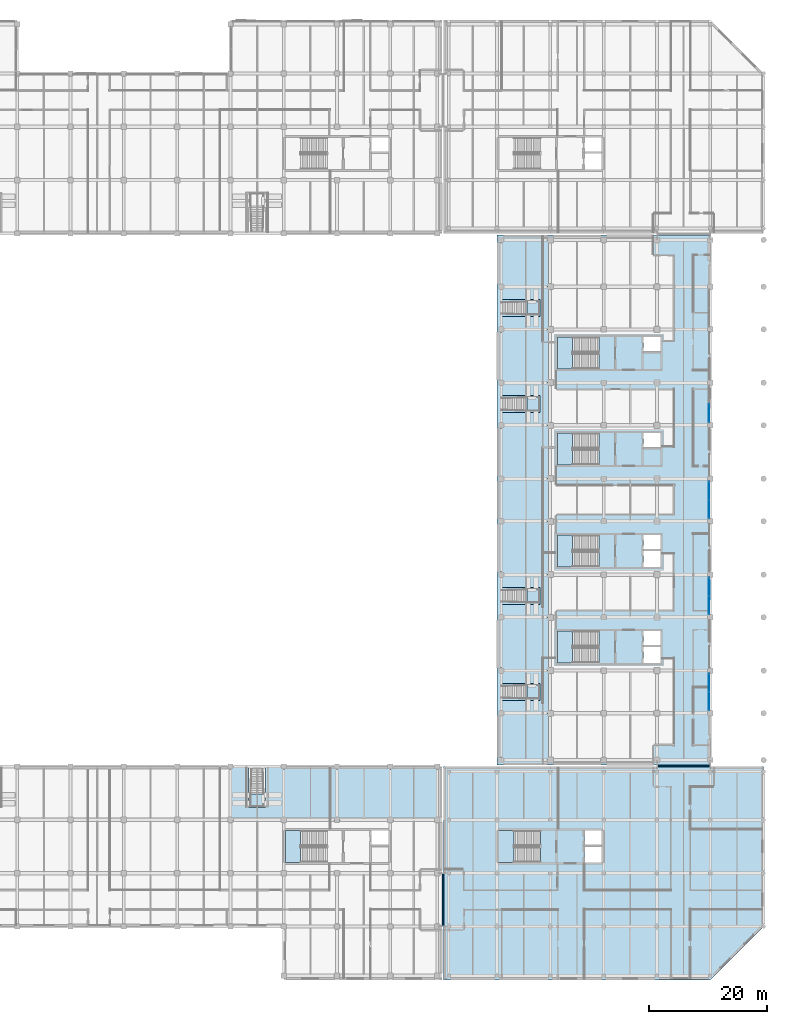
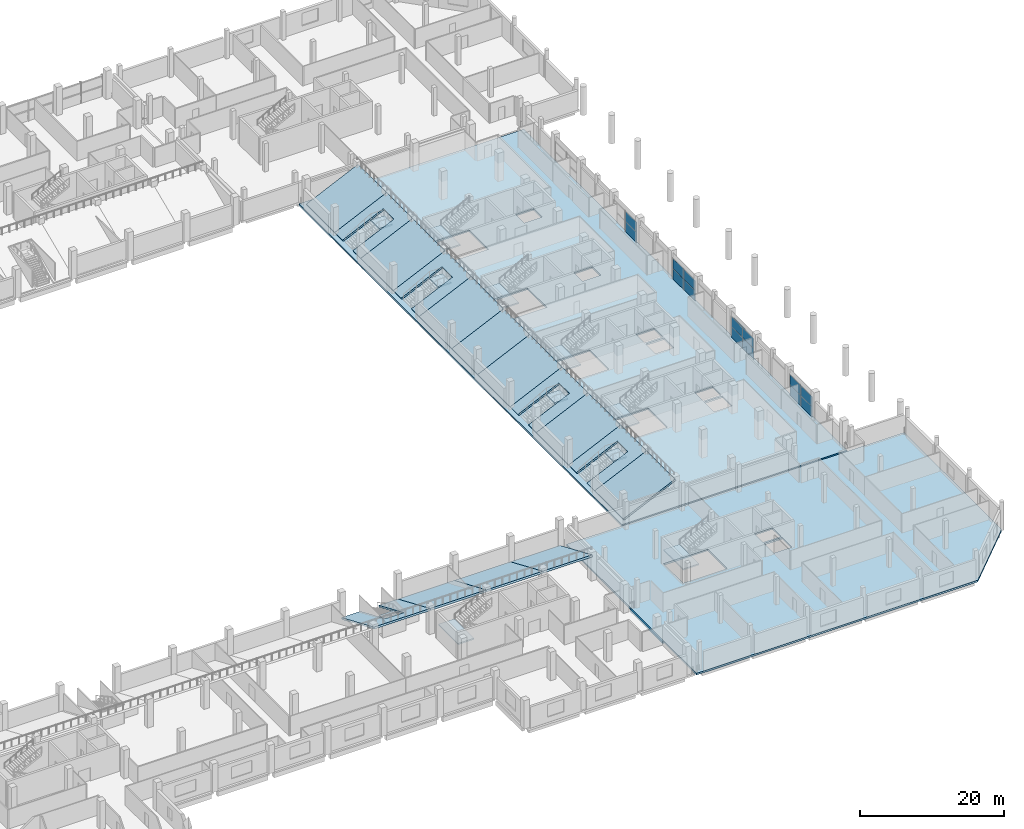
# One storey, part 46 of 100: 30 slabs, 16 plates, 10 elements without a shape of their own.
"""IFC4 building model written with IfcOpenShell, lengths in metres."""

from ifc_helpers import new_model, si_unit, direction, frame, origin, origin_2d, place, context, subcontext, project, spatial, polyline, rectangle, outline, extrude, material, layer, layer_set, type_object, element, aggregate, save


model = new_model("IFC4")

# Units and contexts
model_context = context("Model", 3, precision=1e-05, world=origin(), true_north=direction((0.0, 1.0)))
body_context = subcontext(model_context, "Body", "Model", "MODEL_VIEW")
ifc_project = project(units=[si_unit("LENGTHUNIT", "METRE"), si_unit("AREAUNIT", "SQUARE_METRE"), si_unit("VOLUMEUNIT", "CUBIC_METRE"), si_unit("PLANEANGLEUNIT", "RADIAN"), si_unit("MASSUNIT", "GRAM", prefix="KILO"), si_unit("THERMODYNAMICTEMPERATUREUNIT", "KELVIN"), si_unit("POWERUNIT", "WATT")], contexts=[model_context])

# Site, building, storey
site_placement = place(None, origin())
site = spatial("IfcSite", under=ifc_project, at=site_placement, CompositionType="ELEMENT")
building_placement = place(site_placement, origin())
building = spatial("IfcBuilding", under=site, at=building_placement, Name="Sindhuravela Promenade Stadium", CompositionType="ELEMENT")
storey_placement = place(building_placement, frame((0.0, 0.0, 4.800048828125)))
storey = spatial("IfcBuildingStorey", under=building, at=storey_placement, Name="L01", CompositionType="ELEMENT", Elevation=4.800048828125)

# Plates
ifc_material_1 = material(Name="Perforated terracotta celosia brick (15 MPa)", Category="masonry")
ifc_layer_1 = layer(ifc_material_1, 0.114990234375)
ifc_layer_set_1 = layer_set([ifc_layer_1], Name="Perforated terracotta celosia brick (15 MPa)")
plate_type_1 = type_object("IfcPlateType", Name="CL-SCR-02", PredefinedType="USERDEFINED", material=ifc_layer_set_1)
plate_1_placement = place(storey_placement, frame((206.8798828125, 66.594970703125, 0.0), z_axis=(0.0, 0.0, 1.0), x_axis=(0.0, -1.0, 0.0)))
element("IfcPlate", 1, at=plate_1_placement, inside=storey, type_object=plate_type_1, Name="Perforated brick celosia screen EAST L01-89", ObjectType="SCREEN PANEL", PredefinedType="USERDEFINED", context=body_context, shape_type="SweptSolid", body=[
    extrude(rectangle(XDim=1.56005859375, YDim=0.114990234375, at=origin_2d()), origin(), (0.0, 0.0, 1.0), 3.580078125),
])
ifc_layer_2 = layer(ifc_material_1, 0.139892578125)
ifc_layer_set_2 = layer_set([ifc_layer_2], Name="Perforated terracotta celosia brick (15 MPa)")
plate_type_2 = type_object("IfcPlateType", Name="CL-SCR-03", PredefinedType="USERDEFINED", material=ifc_layer_set_2)
plate_2_placement = place(storey_placement, frame((206.8798828125, 64.9951171875, 0.0), z_axis=(0.0, 0.0, 1.0), x_axis=(0.0, -1.0, 0.0)))
element("IfcPlate", 2, at=plate_2_placement, inside=storey, type_object=plate_type_2, Name="Perforated brick celosia screen EAST L01-90", ObjectType="SCREEN PANEL", PredefinedType="USERDEFINED", context=body_context, shape_type="SweptSolid", body=[
    extrude(rectangle(XDim=1.56005859375, YDim=0.139892578125, at=origin_2d()), origin(), (0.0, 0.0, 1.0), 3.580078125),
])

# Curtain wall, plates
ifc_material_2 = material(Name="Anodised architectural aluminium 6063-T6", Category="aluminium")
curtain_wall_type_1 = type_object("IfcCurtainWallType", Name="CW-MOD-1", PredefinedType="NOTDEFINED", material=ifc_material_2)
curtain_wall_1_placement = place(storey_placement, origin())
curtain_wall_1 = element("IfcCurtainWall", 3, at=curtain_wall_1_placement, inside=storey, type_object=curtain_wall_type_1, Name="Bronze curtain wall CW-EAST-L01-088", PredefinedType="NOTDEFINED")
ifc_material_3 = material(Name="Tempered laminated low-E glass", Category="glass")
ifc_layer_3 = layer(ifc_material_3, 0.028076171875)
ifc_layer_set_3 = layer_set([ifc_layer_3], Name="Tempered laminated low-E glass")
plate_type_3 = type_object("IfcPlateType", Name="CW-PNL-01", PredefinedType="CURTAIN_PANEL", material=ifc_layer_set_3)
plate_3_placement = place(storey_placement, frame((206.800048828125, 95.64990234375, 0.01513671875), z_axis=(0.0, 0.0, 1.0), x_axis=(0.0, -1.0, 0.0)))
plate_3 = element("IfcPlate", 4, at=plate_3_placement, type_object=plate_type_3, Name="Glazed curtain panel CW-EAST-L01-088-P2.1", PredefinedType="CURTAIN_PANEL", context=body_context, shape_type="SweptSolid", body=[
    extrude(rectangle(XDim=3.0400390625, YDim=0.028076171875, at=origin_2d()), origin(), (0.0, 0.0, 1.0), 1.760009765625),
])
plate_4_placement = place(storey_placement, frame((206.800048828125, 95.64990234375, 1.80517578125), z_axis=(0.0, 0.0, 1.0), x_axis=(0.0, -1.0, 0.0)))
plate_4 = element("IfcPlate", 5, at=plate_4_placement, type_object=plate_type_3, Name="Glazed curtain panel CW-EAST-L01-088-P2.2", PredefinedType="CURTAIN_PANEL", context=body_context, shape_type="SweptSolid", body=[
    extrude(rectangle(XDim=3.0400390625, YDim=0.028076171875, at=origin_2d()), origin(), (0.0, 0.0, 1.0), 1.679931640625),
])
aggregate(curtain_wall_1, [plate_3, plate_4])

curtain_wall_type_2 = type_object("IfcCurtainWallType", Name="CW-MOD-3", PredefinedType="NOTDEFINED", material=ifc_material_2)
curtain_wall_2_placement = place(storey_placement, origin())
curtain_wall_2 = element("IfcCurtainWall", 6, at=curtain_wall_2_placement, inside=storey, type_object=curtain_wall_type_2, Name="Bronze curtain wall CW-EAST-L01-090", PredefinedType="NOTDEFINED")
plate_5_placement = place(storey_placement, frame((206.800048828125, 66.35009765625, 0.01513671875), z_axis=(0.0, 0.0, 1.0), x_axis=(0.0, -1.0, 0.0)))
plate_5 = element("IfcPlate", 7, at=plate_5_placement, type_object=plate_type_3, Name="Glazed curtain panel CW-EAST-L01-090-P1.1", PredefinedType="CURTAIN_PANEL", context=body_context, shape_type="SweptSolid", body=[
    extrude(rectangle(XDim=3.0400390625, YDim=0.028076171875, at=origin_2d()), origin(), (0.0, 0.0, 1.0), 1.760009765625),
])
plate_6_placement = place(storey_placement, frame((206.800048828125, 66.35009765625, 1.80517578125), z_axis=(0.0, 0.0, 1.0), x_axis=(0.0, -1.0, 0.0)))
plate_6 = element("IfcPlate", 8, at=plate_6_placement, type_object=plate_type_3, Name="Glazed curtain panel CW-EAST-L01-090-P1.2", PredefinedType="CURTAIN_PANEL", context=body_context, shape_type="SweptSolid", body=[
    extrude(rectangle(XDim=3.0400390625, YDim=0.028076171875, at=origin_2d()), origin(), (0.0, 0.0, 1.0), 1.679931640625),
])
plate_7_placement = place(storey_placement, frame((206.800048828125, 63.25, 0.01513671875), z_axis=(0.0, 0.0, 1.0), x_axis=(0.0, -1.0, 0.0)))
plate_7 = element("IfcPlate", 9, at=plate_7_placement, type_object=plate_type_3, Name="Glazed curtain panel CW-EAST-L01-090-P2.1", PredefinedType="CURTAIN_PANEL", context=body_context, shape_type="SweptSolid", body=[
    extrude(rectangle(XDim=3.0400390625, YDim=0.028076171875, at=origin_2d()), origin(), (0.0, 0.0, 1.0), 1.760009765625),
])
plate_8_placement = place(storey_placement, frame((206.800048828125, 63.25, 1.80517578125), z_axis=(0.0, 0.0, 1.0), x_axis=(0.0, -1.0, 0.0)))
plate_8 = element("IfcPlate", 10, at=plate_8_placement, type_object=plate_type_3, Name="Glazed curtain panel CW-EAST-L01-090-P2.2", PredefinedType="CURTAIN_PANEL", context=body_context, shape_type="SweptSolid", body=[
    extrude(rectangle(XDim=3.0400390625, YDim=0.028076171875, at=origin_2d()), origin(), (0.0, 0.0, 1.0), 1.679931640625),
])
aggregate(curtain_wall_2, [plate_5, plate_6, plate_7, plate_8])

curtain_wall_type_3 = type_object("IfcCurtainWallType", Name="CW-MOD-2", PredefinedType="NOTDEFINED", material=ifc_material_2)
curtain_wall_3_placement = place(storey_placement, origin())
curtain_wall_3 = element("IfcCurtainWall", 11, at=curtain_wall_3_placement, inside=storey, type_object=curtain_wall_type_3, Name="Bronze curtain wall CW-EAST-L01-089", PredefinedType="NOTDEFINED")
ifc_layer_4 = layer(ifc_material_3, 0.0400390625)
ifc_layer_set_4 = layer_set([ifc_layer_4], Name="Tempered laminated low-E glass")
plate_type_4 = type_object("IfcPlateType", Name="CW-PNL-02", PredefinedType="CURTAIN_PANEL", material=ifc_layer_set_4)
plate_9_placement = place(storey_placement, frame((206.800048828125, 82.550048828125, 0.01513671875), z_axis=(0.0, 0.0, 1.0), x_axis=(0.0, -1.0, 0.0)))
plate_9 = element("IfcPlate", 12, at=plate_9_placement, type_object=plate_type_4, Name="Glazed curtain panel CW-EAST-L01-089-P1.1", PredefinedType="CURTAIN_PANEL", context=body_context, shape_type="SweptSolid", body=[
    extrude(rectangle(XDim=3.0400390625, YDim=0.0400390625, at=origin_2d()), origin(), (0.0, 0.0, 1.0), 1.760009765625),
])
plate_10_placement = place(storey_placement, frame((206.800048828125, 82.550048828125, 1.80517578125), z_axis=(0.0, 0.0, 1.0), x_axis=(0.0, -1.0, 0.0)))
plate_10 = element("IfcPlate", 13, at=plate_10_placement, type_object=plate_type_4, Name="Glazed curtain panel CW-EAST-L01-089-P1.2", PredefinedType="CURTAIN_PANEL", context=body_context, shape_type="SweptSolid", body=[
    extrude(rectangle(XDim=3.0400390625, YDim=0.0400390625, at=origin_2d()), origin(), (0.0, 0.0, 1.0), 1.679931640625),
])
plate_11_placement = place(storey_placement, frame((206.800048828125, 79.449951171875, 0.01513671875), z_axis=(0.0, 0.0, 1.0), x_axis=(0.0, -1.0, 0.0)))
plate_11 = element("IfcPlate", 14, at=plate_11_placement, type_object=plate_type_4, Name="Glazed curtain panel CW-EAST-L01-089-P2.1", PredefinedType="CURTAIN_PANEL", context=body_context, shape_type="SweptSolid", body=[
    extrude(rectangle(XDim=3.0400390625, YDim=0.0400390625, at=origin_2d()), origin(), (0.0, 0.0, 1.0), 1.760009765625),
])
plate_12_placement = place(storey_placement, frame((206.800048828125, 79.449951171875, 1.80517578125), z_axis=(0.0, 0.0, 1.0), x_axis=(0.0, -1.0, 0.0)))
plate_12 = element("IfcPlate", 15, at=plate_12_placement, type_object=plate_type_4, Name="Glazed curtain panel CW-EAST-L01-089-P2.2", PredefinedType="CURTAIN_PANEL", context=body_context, shape_type="SweptSolid", body=[
    extrude(rectangle(XDim=3.0400390625, YDim=0.0400390625, at=origin_2d()), origin(), (0.0, 0.0, 1.0), 1.679931640625),
])
aggregate(curtain_wall_3, [plate_9, plate_10, plate_11, plate_12])

curtain_wall_type_4 = type_object("IfcCurtainWallType", Name="CW-MOD-4", PredefinedType="NOTDEFINED", material=ifc_material_2)
curtain_wall_4_placement = place(storey_placement, origin())
curtain_wall_4 = element("IfcCurtainWall", 16, at=curtain_wall_4_placement, inside=storey, type_object=curtain_wall_type_4, Name="Bronze curtain wall CW-EAST-L01-091", PredefinedType="NOTDEFINED")
plate_13_placement = place(storey_placement, frame((206.800048828125, 50.14990234375, 0.01513671875), z_axis=(0.0, 0.0, 1.0), x_axis=(0.0, -1.0, 0.0)))
plate_13 = element("IfcPlate", 17, at=plate_13_placement, type_object=plate_type_4, Name="Glazed curtain panel CW-EAST-L01-091-P1.1", PredefinedType="CURTAIN_PANEL", context=body_context, shape_type="SweptSolid", body=[
    extrude(rectangle(XDim=3.0400390625, YDim=0.0400390625, at=origin_2d()), origin(), (0.0, 0.0, 1.0), 1.760009765625),
])
plate_14_placement = place(storey_placement, frame((206.800048828125, 50.14990234375, 1.80517578125), z_axis=(0.0, 0.0, 1.0), x_axis=(0.0, -1.0, 0.0)))
plate_14 = element("IfcPlate", 18, at=plate_14_placement, type_object=plate_type_4, Name="Glazed curtain panel CW-EAST-L01-091-P1.2", PredefinedType="CURTAIN_PANEL", context=body_context, shape_type="SweptSolid", body=[
    extrude(rectangle(XDim=3.0400390625, YDim=0.0400390625, at=origin_2d()), origin(), (0.0, 0.0, 1.0), 1.679931640625),
])
plate_15_placement = place(storey_placement, frame((206.800048828125, 47.050048828125, 0.01513671875), z_axis=(0.0, 0.0, 1.0), x_axis=(0.0, -1.0, 0.0)))
plate_15 = element("IfcPlate", 19, at=plate_15_placement, type_object=plate_type_4, Name="Glazed curtain panel CW-EAST-L01-091-P2.1", PredefinedType="CURTAIN_PANEL", context=body_context, shape_type="SweptSolid", body=[
    extrude(rectangle(XDim=3.0400390625, YDim=0.0400390625, at=origin_2d()), origin(), (0.0, 0.0, 1.0), 1.760009765625),
])
plate_16_placement = place(storey_placement, frame((206.800048828125, 47.050048828125, 1.80517578125), z_axis=(0.0, 0.0, 1.0), x_axis=(0.0, -1.0, 0.0)))
plate_16 = element("IfcPlate", 20, at=plate_16_placement, type_object=plate_type_4, Name="Glazed curtain panel CW-EAST-L01-091-P2.2", PredefinedType="CURTAIN_PANEL", context=body_context, shape_type="SweptSolid", body=[
    extrude(rectangle(XDim=3.0400390625, YDim=0.0400390625, at=origin_2d()), origin(), (0.0, 0.0, 1.0), 1.679931640625),
])
aggregate(curtain_wall_4, [plate_13, plate_14, plate_15, plate_16])

# Slabs
ifc_material_4 = material(Name="Concrete M50", Category="concrete")
ifc_layer_5 = layer(ifc_material_4, 0.360107421875)
ifc_layer_set_5 = layer_set([ifc_layer_5], Name="Concrete M50")
slab_type_1 = type_object("IfcSlabType", Name="SL-BRG-360", PredefinedType="FLOOR", material=ifc_layer_set_5)
slab_1_placement = place(storey_placement, frame((0.0, 0.0, -0.360107421875)))
element("IfcSlab", 21, at=slab_1_placement, inside=storey, type_object=slab_type_1, Name="Concourse link bridge L01 East-SE", PredefinedType="FLOOR", context=body_context, shape_type="SweptSolid", body=[
    extrude(outline(polyline([(198.0, 36.0), (207.0, 36.0), (207.0, 36.25), (198.0, 36.25), (198.0, 36.0)])), origin(), (0.0, 0.0, 1.0), 0.360107421875),
])
slab_2_placement = place(storey_placement, frame((0.0, 0.0, -0.360107421875)))
element("IfcSlab", 22, at=slab_2_placement, inside=storey, type_object=slab_type_1, Name="Concourse link bridge L01 South-SE", PredefinedType="FLOOR", context=body_context, shape_type="SweptSolid", body=[
    extrude(outline(polyline([(161.75, 9.0), (162.0, 9.0), (162.0, 18.0), (161.75, 18.0), (161.75, 9.0)])), origin(), (0.0, 0.0, 1.0), 0.360107421875),
])
ifc_material_5 = material(Name="Concrete M40", Category="concrete")
ifc_layer_6 = layer(ifc_material_5, 0.25)
ifc_layer_set_6 = layer_set([ifc_layer_6], Name="Concrete M40")
slab_type_2 = type_object("IfcSlabType", Name="SL-FLR-250", PredefinedType="FLOOR", material=ifc_layer_set_6)
slab_3_placement = place(storey_placement, frame((0.0, 0.0, 2.0)))
element("IfcSlab", 23, at=slab_3_placement, inside=storey, type_object=slab_type_2, Name="Vomitory VS05 tier landing slab", PredefinedType="FLOOR", context=body_context, shape_type="SweptSolid", body=[
    extrude(outline(polyline([(176.04931640625, 47.389892578125), (178.199951171875, 47.389892578125), (178.199951171875, 49.81005859375), (176.04931640625, 49.81005859375), (176.04931640625, 47.389892578125)])), origin(), (0.0, 0.0, 1.0), 0.25),
])
slab_4_placement = place(storey_placement, frame((0.0, 0.0, 2.0)))
element("IfcSlab", 24, at=slab_4_placement, inside=storey, type_object=slab_type_2, Name="Vomitory VS06 tier landing slab", PredefinedType="FLOOR", context=body_context, shape_type="SweptSolid", body=[
    extrude(outline(polyline([(176.04931640625, 63.6298828125), (178.199951171875, 63.6298828125), (178.199951171875, 65.969970703125), (176.04931640625, 65.969970703125), (176.04931640625, 63.6298828125)])), origin(), (0.0, 0.0, 1.0), 0.25),
])
slab_5_placement = place(storey_placement, frame((0.0, 0.0, 2.0)))
element("IfcSlab", 25, at=slab_5_placement, inside=storey, type_object=slab_type_2, Name="Vomitory VS07 tier landing slab", PredefinedType="FLOOR", context=body_context, shape_type="SweptSolid", body=[
    extrude(outline(polyline([(176.04931640625, 95.989990234375), (178.199951171875, 95.989990234375), (178.199951171875, 98.409912109375), (176.04931640625, 98.409912109375), (176.04931640625, 95.989990234375)])), origin(), (0.0, 0.0, 1.0), 0.25),
])
slab_6_placement = place(storey_placement, frame((0.0, 0.0, 2.0)))
element("IfcSlab", 26, at=slab_6_placement, inside=storey, type_object=slab_type_2, Name="Vomitory VS08 tier landing slab", PredefinedType="FLOOR", context=body_context, shape_type="SweptSolid", body=[
    extrude(outline(polyline([(176.04931640625, 112.22998046875), (178.199951171875, 112.22998046875), (178.199951171875, 114.570068359375), (176.04931640625, 114.570068359375), (176.04931640625, 112.22998046875)])), origin(), (0.0, 0.0, 1.0), 0.25),
])
slab_7_placement = place(storey_placement, frame((0.0, 0.0, 2.0)))
element("IfcSlab", 27, at=slab_7_placement, inside=storey, type_object=slab_type_2, Name="Vomitory VS12 tier landing slab", PredefinedType="FLOOR", context=body_context, shape_type="SweptSolid", body=[
    extrude(outline(polyline([(129.330078125, 31.360595703125), (129.330078125, 29.2099609375), (131.669921875, 29.2099609375), (131.669921875, 31.360595703125), (129.330078125, 31.360595703125)])), origin(), (0.0, 0.0, 1.0), 0.25),
])
ifc_layer_7 = layer(ifc_material_5, 0.300048828125)
ifc_layer_set_7 = layer_set([ifc_layer_7], Name="Concrete M40")
slab_type_3 = type_object("IfcSlabType", Name="SL-FLR-300", PredefinedType="FLOOR", material=ifc_layer_set_7)
slab_8_placement = place(storey_placement, frame((0.0, 0.0, -0.300048828125)))
element("IfcSlab", 28, at=slab_8_placement, inside=storey, type_object=slab_type_3, Name="Floor slab EAST L01", PredefinedType="FLOOR", context=body_context, shape_type="SweptSolid", body=[
    extrude(outline(polyline([(171.0, 36.25), (207.0, 36.25), (207.0, 125.75), (171.0, 125.75), (171.0, 36.25)]), holes=[polyline([(181.199951171875, 53.5), (188.249267578125, 53.5), (188.249267578125, 58.89990234375), (181.199951171875, 58.89990234375), (181.199951171875, 53.5)]), polyline([(195.699951171875, 56.5), (198.60009765625, 56.5), (198.60009765625, 58.89990234375), (195.699951171875, 58.89990234375), (195.699951171875, 56.5)]), polyline([(195.699951171875, 53.5), (198.60009765625, 53.5), (198.60009765625, 56.199951171875), (195.699951171875, 56.199951171875), (195.699951171875, 53.5)]), polyline([(181.199951171875, 69.699951171875), (188.249267578125, 69.699951171875), (188.249267578125, 75.10009765625), (181.199951171875, 75.10009765625), (181.199951171875, 69.699951171875)]), polyline([(195.699951171875, 72.699951171875), (198.60009765625, 72.699951171875), (198.60009765625, 75.10009765625), (195.699951171875, 75.10009765625), (195.699951171875, 72.699951171875)]), polyline([(195.699951171875, 69.699951171875), (198.60009765625, 69.699951171875), (198.60009765625, 72.39990234375), (195.699951171875, 72.39990234375), (195.699951171875, 69.699951171875)]), polyline([(181.199951171875, 86.89990234375), (188.249267578125, 86.89990234375), (188.249267578125, 92.300048828125), (181.199951171875, 92.300048828125), (181.199951171875, 86.89990234375)]), polyline([(195.699951171875, 89.89990234375), (198.60009765625, 89.89990234375), (198.60009765625, 92.300048828125), (195.699951171875, 92.300048828125), (195.699951171875, 89.89990234375)]), polyline([(181.199951171875, 103.10009765625), (188.249267578125, 103.10009765625), (188.249267578125, 108.5), (181.199951171875, 108.5), (181.199951171875, 103.10009765625)]), polyline([(195.699951171875, 106.10009765625), (198.60009765625, 106.10009765625), (198.60009765625, 108.5), (195.699951171875, 108.5), (195.699951171875, 106.10009765625)])]), origin(), (0.0, 0.0, 1.0), 0.300048828125),
])
slab_9_placement = place(storey_placement, frame((0.0, 0.0, -0.300048828125)))
element("IfcSlab", 29, at=slab_9_placement, inside=storey, type_object=slab_type_3, Name="Floor slab Pavilion SE L01", PredefinedType="FLOOR", context=body_context, shape_type="SweptSolid", body=[
    extrude(outline(polyline([(162.0, 0.0), (207.0, 0.0), (216.0, 9.0), (216.0, 36.0), (162.0, 36.0), (162.0, 0.0)]), holes=[polyline([(171.300048828125, 19.800048828125), (178.34912109375, 19.800048828125), (178.34912109375, 25.199951171875), (171.300048828125, 25.199951171875), (171.300048828125, 19.800048828125)]), polyline([(185.800048828125, 22.800048828125), (188.699951171875, 22.800048828125), (188.699951171875, 25.199951171875), (185.800048828125, 25.199951171875), (185.800048828125, 22.800048828125)]), polyline([(185.800048828125, 19.800048828125), (188.699951171875, 19.800048828125), (188.699951171875, 22.5), (185.800048828125, 22.5), (185.800048828125, 19.800048828125)])]), origin(), (0.0, 0.0, 1.0), 0.300048828125),
])

# Stair, slab
stair_type = type_object("IfcStairType", Name="ST-CORE-DOGLEG", PredefinedType="HALF_TURN_STAIR", material=ifc_material_5)
stair_1_placement = place(storey_placement, origin())
stair_1 = element("IfcStair", 30, at=stair_1_placement, inside=storey, type_object=stair_type, Name="Protected escape stair ST05 (L01)", PredefinedType="HALF_TURN_STAIR")
ifc_layer_8 = layer(ifc_material_5, 0.219970703125)
ifc_layer_set_8 = layer_set([ifc_layer_8], Name="Concrete M40")
slab_type_4 = type_object("IfcSlabType", Name="SL-LND-220", PredefinedType="LANDING", material=ifc_layer_set_8)
slab_10_placement = place(storey_placement, frame((0.0, 0.0, 2.179931640625)))
slab_10 = element("IfcSlab", 31, at=slab_10_placement, type_object=slab_type_4, Name="Stair ST05 half-landing (L01)", PredefinedType="LANDING", context=body_context, shape_type="SweptSolid", body=[
    extrude(outline(polyline([(181.179931640625, 53.47998046875), (183.751953125, 53.47998046875), (183.751953125, 58.919921875), (181.179931640625, 58.919921875), (181.179931640625, 53.47998046875)])), origin(), (0.0, 0.0, 1.0), 0.219970703125),
])
aggregate(stair_1, [slab_10])

stair_2_placement = place(storey_placement, origin())
stair_2 = element("IfcStair", 32, at=stair_2_placement, inside=storey, type_object=stair_type, Name="Protected escape stair ST06 (L01)", PredefinedType="HALF_TURN_STAIR")
slab_11_placement = place(storey_placement, frame((0.0, 0.0, 2.179931640625)))
slab_11 = element("IfcSlab", 33, at=slab_11_placement, type_object=slab_type_4, Name="Stair ST06 half-landing (L01)", PredefinedType="LANDING", context=body_context, shape_type="SweptSolid", body=[
    extrude(outline(polyline([(181.179931640625, 69.679931640625), (183.751953125, 69.679931640625), (183.751953125, 75.1201171875), (181.179931640625, 75.1201171875), (181.179931640625, 69.679931640625)])), origin(), (0.0, 0.0, 1.0), 0.219970703125),
])
aggregate(stair_2, [slab_11])

stair_3_placement = place(storey_placement, origin())
stair_3 = element("IfcStair", 34, at=stair_3_placement, inside=storey, type_object=stair_type, Name="Protected escape stair ST07 (L01)", PredefinedType="HALF_TURN_STAIR")
slab_12_placement = place(storey_placement, frame((0.0, 0.0, 2.179931640625)))
slab_12 = element("IfcSlab", 35, at=slab_12_placement, type_object=slab_type_4, Name="Stair ST07 half-landing (L01)", PredefinedType="LANDING", context=body_context, shape_type="SweptSolid", body=[
    extrude(outline(polyline([(181.179931640625, 86.8798828125), (183.751953125, 86.8798828125), (183.751953125, 92.320068359375), (181.179931640625, 92.320068359375), (181.179931640625, 86.8798828125)])), origin(), (0.0, 0.0, 1.0), 0.219970703125),
])
aggregate(stair_3, [slab_12])

stair_4_placement = place(storey_placement, origin())
stair_4 = element("IfcStair", 36, at=stair_4_placement, inside=storey, type_object=stair_type, Name="Protected escape stair ST08 (L01)", PredefinedType="HALF_TURN_STAIR")
slab_13_placement = place(storey_placement, frame((0.0, 0.0, 2.179931640625)))
slab_13 = element("IfcSlab", 37, at=slab_13_placement, type_object=slab_type_4, Name="Stair ST08 half-landing (L01)", PredefinedType="LANDING", context=body_context, shape_type="SweptSolid", body=[
    extrude(outline(polyline([(181.179931640625, 103.080078125), (183.751953125, 103.080078125), (183.751953125, 108.52001953125), (181.179931640625, 108.52001953125), (181.179931640625, 103.080078125)])), origin(), (0.0, 0.0, 1.0), 0.219970703125),
])
aggregate(stair_4, [slab_13])

stair_5_placement = place(storey_placement, origin())
stair_5 = element("IfcStair", 38, at=stair_5_placement, inside=storey, type_object=stair_type, Name="Protected escape stair ST12 (L01)", PredefinedType="HALF_TURN_STAIR")
slab_14_placement = place(storey_placement, frame((0.0, 0.0, 2.179931640625)))
slab_14 = element("IfcSlab", 39, at=slab_14_placement, type_object=slab_type_4, Name="Stair ST12 half-landing (L01)", PredefinedType="LANDING", context=body_context, shape_type="SweptSolid", body=[
    extrude(outline(polyline([(135.280029296875, 19.780029296875), (137.85205078125, 19.780029296875), (137.85205078125, 25.219970703125), (135.280029296875, 25.219970703125), (135.280029296875, 19.780029296875)])), origin(), (0.0, 0.0, 1.0), 0.219970703125),
])
aggregate(stair_5, [slab_14])

stair_6_placement = place(storey_placement, origin())
stair_6 = element("IfcStair", 40, at=stair_6_placement, inside=storey, type_object=stair_type, Name="Protected escape stair GS02 (L01)", PredefinedType="HALF_TURN_STAIR")
slab_15_placement = place(storey_placement, frame((0.0, 0.0, 2.179931640625)))
slab_15 = element("IfcSlab", 41, at=slab_15_placement, type_object=slab_type_4, Name="Stair GS02 half-landing (L01)", PredefinedType="LANDING", context=body_context, shape_type="SweptSolid", body=[
    extrude(outline(polyline([(171.280029296875, 19.780029296875), (173.85205078125, 19.780029296875), (173.85205078125, 25.219970703125), (171.280029296875, 25.219970703125), (171.280029296875, 19.780029296875)])), origin(), (0.0, 0.0, 1.0), 0.219970703125),
])
aggregate(stair_6, [slab_15])

# Slabs
ifc_material_6 = material(Name="Precast concrete M50", Category="concrete")
ifc_layer_9 = layer(ifc_material_6, 0.2900390625)
ifc_layer_set_9 = layer_set([ifc_layer_9], Name="Precast concrete M50")
slab_type_5 = type_object("IfcSlabType", Name="SL-TR1-290", PredefinedType="USERDEFINED", material=ifc_layer_set_9)
slab_16_placement = place(storey_placement, frame((171.699951171875, 45.0, 0.199951171875), z_axis=(-0.42079690446234874, 0.0, 0.9071548738748555), x_axis=(0.0, -1.0, 0.0)))
element("IfcSlab", 42, at=slab_16_placement, inside=storey, type_object=slab_type_5, Name="Stand lower tier East rear bay 12", ObjectType="SEATING TIER", PredefinedType="USERDEFINED", context=body_context, shape_type="SweptSolid", body=[
    extrude(outline(polyline([(0.0, 0.0), (7.89990234375, 0.0), (7.89990234375, 9.149538923460621), (0.0, 9.149538923460621), (0.0, 0.0)])), origin(), (0.0, 0.0, -1.0), 0.2900390625),
])
slab_17_placement = place(storey_placement, frame((171.699951171875, 52.199951171875, 0.199951171875), z_axis=(-0.42079715809789764, 0.0, 0.9071547562222959), x_axis=(0.0, -1.0, 0.0)))
element("IfcSlab", 43, at=slab_17_placement, inside=storey, type_object=slab_type_5, Name="Stand lower tier East rear bay 13", ObjectType="SEATING TIER", PredefinedType="USERDEFINED", context=body_context, shape_type="SweptSolid", body=[
    extrude(outline(polyline([(0.0, 0.0), (2.14990234375, 0.0), (2.14990234375, 7.220428610160233), (5.050048828125, 7.220428610160233), (5.050048828125, 0.0), (7.199951171875, 0.0), (7.199951171875, 9.149538923460264), (0.0, 9.149538923460264), (0.0, 0.0)])), origin(), (0.0, 0.0, -1.0), 0.2900390625),
])
slab_18_placement = place(storey_placement, frame((171.699951171875, 61.199951171875, 0.199951171875), z_axis=(-0.42079690446234874, 0.0, 0.9071548738748555), x_axis=(0.0, -1.0, 0.0)))
element("IfcSlab", 44, at=slab_18_placement, inside=storey, type_object=slab_type_5, Name="Stand lower tier East rear bay 14", ObjectType="SEATING TIER", PredefinedType="USERDEFINED", context=body_context, shape_type="SweptSolid", body=[
    extrude(outline(polyline([(0.0, 0.0), (9.0, 0.0), (9.0, 9.149538923460621), (0.0, 9.149538923460621), (0.0, 0.0)])), origin(), (0.0, 0.0, -1.0), 0.2900390625),
])
slab_19_placement = place(storey_placement, frame((171.699951171875, 68.39990234375, 0.199951171875), z_axis=(-0.42079715806659734, 0.0, 0.907154756236815), x_axis=(0.0, -1.0, 0.0)))
element("IfcSlab", 45, at=slab_19_placement, inside=storey, type_object=slab_type_5, Name="Stand lower tier East rear bay 15", ObjectType="SEATING TIER", PredefinedType="USERDEFINED", context=body_context, shape_type="SweptSolid", body=[
    extrude(outline(polyline([(0.0, 0.0), (2.14990234375, 0.0), (2.14990234375, 7.2204286101602335), (5.0498046875, 7.2204286101602335), (5.0498046875, 0.0), (7.199951171875, 0.0), (7.199951171875, 9.149538923460263), (0.0, 9.149538923460263), (0.0, 0.0)])), origin(), (0.0, 0.0, -1.0), 0.2900390625),
])
slab_20_placement = place(storey_placement, frame((171.699951171875, 77.39990234375, 0.199951171875), z_axis=(-0.42079690446234874, 0.0, 0.9071548738748555), x_axis=(0.0, -1.0, 0.0)))
element("IfcSlab", 46, at=slab_20_placement, inside=storey, type_object=slab_type_5, Name="Stand lower tier East rear bay 16", ObjectType="SEATING TIER", PredefinedType="USERDEFINED", context=body_context, shape_type="SweptSolid", body=[
    extrude(outline(polyline([(0.0, 0.0), (9.0, 0.0), (9.0, 9.149538923460621), (0.0, 9.149538923460621), (0.0, 0.0)])), origin(), (0.0, 0.0, -1.0), 0.2900390625),
])
slab_21_placement = place(storey_placement, frame((171.699951171875, 84.60009765625, 0.199951171875), z_axis=(-0.42079690446234874, 0.0, 0.9071548738748554), x_axis=(0.0, -1.0, 0.0)))
element("IfcSlab", 47, at=slab_21_placement, inside=storey, type_object=slab_type_5, Name="Stand lower tier East rear bay 17", ObjectType="SEATING TIER", PredefinedType="USERDEFINED", context=body_context, shape_type="SweptSolid", body=[
    extrude(outline(polyline([(0.0, 0.0), (7.2001953125, 0.0), (7.2001953125, 9.14953892346062), (0.0, 9.14953892346062), (0.0, 0.0)])), origin(), (0.0, 0.0, -1.0), 0.2900390625),
])
slab_22_placement = place(storey_placement, frame((171.699951171875, 93.60009765625, 0.199951171875), z_axis=(-0.42079690446234874, 0.0, 0.9071548738748555), x_axis=(0.0, -1.0, 0.0)))
element("IfcSlab", 48, at=slab_22_placement, inside=storey, type_object=slab_type_5, Name="Stand lower tier East rear bay 18", ObjectType="SEATING TIER", PredefinedType="USERDEFINED", context=body_context, shape_type="SweptSolid", body=[
    extrude(outline(polyline([(0.0, 0.0), (9.0, 0.0), (9.0, 9.149538923460621), (0.0, 9.149538923460621), (0.0, 0.0)])), origin(), (0.0, 0.0, -1.0), 0.2900390625),
])
slab_23_placement = place(storey_placement, frame((171.699951171875, 100.800048828125, 0.199951171875), z_axis=(-0.42079715806659734, 0.0, 0.907154756236815), x_axis=(0.0, -1.0, 0.0)))
element("IfcSlab", 49, at=slab_23_placement, inside=storey, type_object=slab_type_5, Name="Stand lower tier East rear bay 19", ObjectType="SEATING TIER", PredefinedType="USERDEFINED", context=body_context, shape_type="SweptSolid", body=[
    extrude(outline(polyline([(0.0, 0.0), (2.150146484375, 0.0), (2.150146484375, 7.2204286101602335), (5.050048828125, 7.2204286101602335), (5.050048828125, 0.0), (7.199951171875, 0.0), (7.199951171875, 9.149538923460263), (0.0, 9.149538923460263), (0.0, 0.0)])), origin(), (0.0, 0.0, -1.0), 0.2900390625),
])
slab_24_placement = place(storey_placement, frame((171.699951171875, 109.800048828125, 0.199951171875), z_axis=(-0.42079690446234874, 0.0, 0.9071548738748555), x_axis=(0.0, -1.0, 0.0)))
element("IfcSlab", 50, at=slab_24_placement, inside=storey, type_object=slab_type_5, Name="Stand lower tier East rear bay 20", ObjectType="SEATING TIER", PredefinedType="USERDEFINED", context=body_context, shape_type="SweptSolid", body=[
    extrude(outline(polyline([(0.0, 0.0), (9.0, 0.0), (9.0, 9.149538923460621), (0.0, 9.149538923460621), (0.0, 0.0)])), origin(), (0.0, 0.0, -1.0), 0.2900390625),
])
slab_25_placement = place(storey_placement, frame((171.699951171875, 117.0, 0.199951171875), z_axis=(-0.42079715809789764, 0.0, 0.9071547562222959), x_axis=(0.0, -1.0, 0.0)))
element("IfcSlab", 51, at=slab_25_placement, inside=storey, type_object=slab_type_5, Name="Stand lower tier East rear bay 21", ObjectType="SEATING TIER", PredefinedType="USERDEFINED", context=body_context, shape_type="SweptSolid", body=[
    extrude(outline(polyline([(0.0, 0.0), (2.14990234375, 0.0), (2.14990234375, 7.220428610160233), (5.050048828125, 7.220428610160233), (5.050048828125, 0.0), (7.199951171875, 0.0), (7.199951171875, 9.149538923460264), (0.0, 9.149538923460264), (0.0, 0.0)])), origin(), (0.0, 0.0, -1.0), 0.2900390625),
])
slab_26_placement = place(storey_placement, frame((171.699951171875, 124.89990234375, 0.199951171875), z_axis=(-0.42079690446234874, 0.0, 0.9071548738748555), x_axis=(0.0, -1.0, 0.0)))
element("IfcSlab", 52, at=slab_26_placement, inside=storey, type_object=slab_type_5, Name="Stand lower tier East rear bay 22", ObjectType="SEATING TIER", PredefinedType="USERDEFINED", context=body_context, shape_type="SweptSolid", body=[
    extrude(outline(polyline([(0.0, 0.0), (7.89990234375, 0.0), (7.89990234375, 9.149538923460621), (0.0, 9.149538923460621), (0.0, 0.0)])), origin(), (0.0, 0.0, -1.0), 0.2900390625),
])
slab_27_placement = place(storey_placement, frame((135.0, 36.0, 0.199951171875), z_axis=(0.0, 0.3933099048854284, 0.919405959693005), x_axis=(-1.0, 0.0, 0.0)))
element("IfcSlab", 53, at=slab_27_placement, inside=storey, type_object=slab_type_5, Name="Stand lower tier South rear bay 31", ObjectType="SEATING TIER", PredefinedType="USERDEFINED", context=body_context, shape_type="SweptSolid", body=[
    extrude(outline(polyline([(0.0, 0.0), (3.050048828125, 0.0), (3.050048828125, 7.559193719793829), (5.949951171875, 7.559193719793829), (5.949951171875, 0.0), (9.0, 0.0), (9.0, 9.788935180216342), (0.0, 9.788935180216342), (0.0, 0.0)])), origin(), (0.0, 0.0, -1.0), 0.2900390625),
])
for number, where, z_axis, x_axis, name in (
    (54, (144.0, 36.0, 0.199951171875), (0.0, 0.3933111809778274, 0.9194054137962352), (-1.0, 0.0, 0.0), "Stand lower tier South rear bay 32"),
    (55, (153.0, 36.0, 0.199951171875), (0.0, 0.3933111809778274, 0.9194054137962352), (-1.0, 0.0, 0.0), "Stand lower tier South rear bay 33"),
):
    element("IfcSlab", number, at=place(storey_placement, frame(where, z_axis=z_axis, x_axis=x_axis)), inside=storey, type_object=slab_type_5, Name=name, ObjectType="SEATING TIER", PredefinedType="USERDEFINED", context=body_context, shape_type="SweptSolid", body=[
        extrude(outline(polyline([(0.0, 0.0), (9.0, 0.0), (9.0, 9.788935180225769), (0.0, 9.788935180225769), (0.0, 0.0)])), origin(), (0.0, 0.0, -1.0), 0.2900390625),
    ])
slab_28_placement = place(storey_placement, frame((160.89990234375, 36.0, 0.199951171875), z_axis=(0.0, 0.39331118097782747, 0.9194054137962353), x_axis=(-1.0, 0.0, 0.0)))
element("IfcSlab", 56, at=slab_28_placement, inside=storey, type_object=slab_type_5, Name="Stand lower tier South rear bay 34", ObjectType="SEATING TIER", PredefinedType="USERDEFINED", context=body_context, shape_type="SweptSolid", body=[
    extrude(outline(polyline([(0.0, 0.0), (7.89990234375, 0.0), (7.89990234375, 9.78893518022577), (0.0, 9.78893518022577), (0.0, 0.0)])), origin(), (0.0, 0.0, -1.0), 0.2900390625),
])

save(model, "model.ifc")
